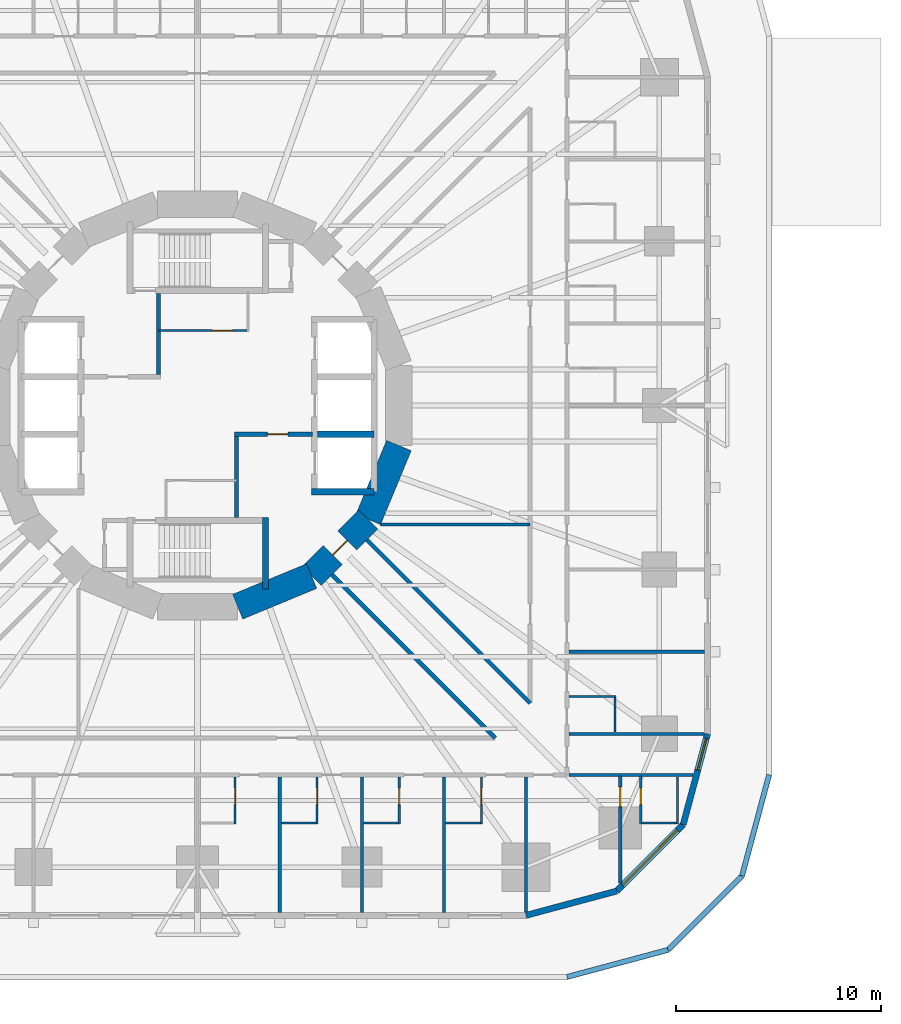
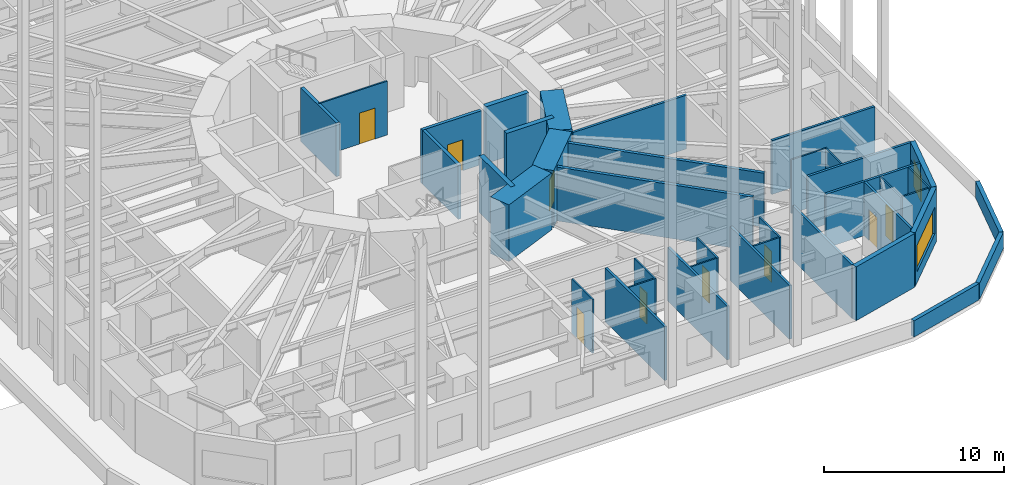
# One storey, part 7 of 13: 39 walls, 9 doors, 2 windows, 11 openings.
"""IFC4 building model written with IfcOpenShell, lengths in metres."""

from ifc_helpers import new_model, si_unit, direction, frame, frame_2d, origin, place, context, subcontext, project, spatial, rectangle, extrude, material, layer, layer_set, type_object, element, fill, save


model = new_model("IFC4")

# Units and contexts
model_context = context("Model", 3, precision=1e-05, world=origin(), true_north=direction((0.0, 1.0)))
body_context = subcontext(model_context, "Body", "Model", "MODEL_VIEW")
ifc_project = project(units=[si_unit("LENGTHUNIT", "METRE"), si_unit("AREAUNIT", "SQUARE_METRE"), si_unit("VOLUMEUNIT", "CUBIC_METRE"), si_unit("PLANEANGLEUNIT", "RADIAN"), si_unit("MASSUNIT", "GRAM", prefix="KILO")], contexts=[model_context])

# Site, building, storey
site_placement = place(None, origin())
site = spatial("IfcSite", under=ifc_project, at=site_placement, CompositionType="ELEMENT")
building_placement = place(site_placement, origin())
building = spatial("IfcBuilding", under=site, at=building_placement, Name="Nakasero Lantern House", CompositionType="ELEMENT")
storey_placement = place(building_placement, frame((0.0, 0.0, 16.0)))
storey = spatial("IfcBuildingStorey", under=building, at=storey_placement, Name="L03", CompositionType="ELEMENT", Elevation=16.0)

# Walls
ifc_material_1 = material(Name="Concrete C50/60", Category="concrete")
ifc_layer_1 = layer(ifc_material_1, 0.300048828125)
ifc_layer_set_1 = layer_set([ifc_layer_1], Name="Core inner wall 300")
wall_type_1 = type_object("IfcWallType", Name="Core inner wall 300", PredefinedType="SHEAR", material=ifc_layer_set_1)
wall_1_placement = place(storey_placement, frame((5.550048828125, -4.199951171875, 0.0), z_axis=(0.0, 0.0, 1.0), x_axis=(1.0, 0.0, 0.0)))
element("IfcWall", 1, at=wall_1_placement, inside=storey, type_object=wall_type_1, Name="Core inner wall L03 LES", PredefinedType="SHEAR", context=body_context, shape_type="SweptSolid", body=[
    extrude(rectangle(XDim=3.050048828125, YDim=0.300048828125, at=frame_2d((1.52490234375, 0.0))), origin(), (0.0, 0.0, 1.0), 3.85009765625),
])
wall_2_placement = place(storey_placement, frame((5.85009765625, -1.39990234375, 0.0), z_axis=(0.0, 0.0, 1.0), x_axis=(1.0, 0.0, 0.0)))
element("IfcWall", 2, at=wall_2_placement, inside=storey, type_object=wall_type_1, Name="Core inner wall L03 LE1", PredefinedType="SHEAR", context=body_context, shape_type="SweptSolid", body=[
    extrude(rectangle(XDim=2.75, YDim=0.300048828125, at=frame_2d((1.375, 0.0))), origin(), (0.0, 0.0, 1.0), 3.85009765625),
])
wall_3_placement = place(storey_placement, frame((3.300048828125, -5.449951171875, 0.0), z_axis=(0.0, 0.0, 1.0), x_axis=(0.0, -1.0, 0.0)))
element("IfcWall", 3, at=wall_3_placement, inside=storey, type_object=wall_type_1, Name="Core inner wall L03 SSE", PredefinedType="SHEAR", context=body_context, shape_type="SweptSolid", body=[
    extrude(rectangle(XDim=3.5, YDim=0.300048828125, at=frame_2d((1.75, 0.0))), origin(), (0.0, 0.0, 1.0), 3.85009765625),
])

# Wall, opening, door
ifc_material_2 = material(Name="Blockwork", Category="masonry")
ifc_layer_2 = layer(ifc_material_2, 0.10009765625)
ifc_layer_set_2 = layer_set([ifc_layer_2], Name="Core room wall 100")
wall_type_2 = type_object("IfcWallType", Name="Core room wall 100", PredefinedType="PARTITIONING", material=ifc_layer_set_2)
wall_4_placement = place(storey_placement, frame((-1.89990234375, 3.64990234375, 0.0), z_axis=(0.0, 0.0, 1.0), x_axis=(1.0, 0.0, 0.0)))
wall_4 = element("IfcWall", 4, at=wall_4_placement, inside=storey, type_object=wall_type_2, Name="Core room wall L03 CR-NES", PredefinedType="PARTITIONING", context=body_context, shape_type="SweptSolid", body=[
    extrude(rectangle(XDim=4.39990234375, YDim=0.10009765625, at=frame_2d((2.199951171875, 0.0))), origin(), (0.0, 0.0, 1.0), 3.64990234375),
])
opening_1_placement = place(wall_4_placement, frame((2.60009765625, 0.0, 0.0)))
opening_1 = element("IfcOpeningElement", 5, at=opening_1_placement, cuts=wall_4, Name="Opening D07", PredefinedType="OPENING", context=body_context, shape_type="SweptSolid", body=[
    extrude(rectangle(XDim=1.0, YDim=2.10009765625, at=frame_2d((0.5, 1.050048828125))), frame((0.0, 0.070068359375, 0.0), z_axis=(0.0, -1.0, 0.0), x_axis=(1.0, 0.0, 0.0)), (0.0, 0.0, 1.0), 0.14013671875),
])
ifc_material_3 = material(Name="Timber C24", Category="wood")
door_type_1 = type_object("IfcDoorType", Name="Room door FD30S 1000", OperationType="SINGLE_SWING_LEFT", PredefinedType="DOOR", material=ifc_material_3)
door_1_placement = place(opening_1_placement, origin())
door_1 = element("IfcDoor", 6, at=door_1_placement, inside=storey, type_object=door_type_1, Name="Door L03 D-CR-NE", OperationType="SINGLE_SWING_RIGHT", OverallHeight=2.10009765625, OverallWidth=1.0, PredefinedType="DOOR", context=body_context, shape_type="SweptSolid", body=[
    extrude(rectangle(XDim=1.0, YDim=2.10009765625, at=frame_2d((0.5, 1.050048828125))), frame((0.0, 0.02490234375, 0.0), z_axis=(0.0, -1.0, 0.0), x_axis=(1.0, 0.0, 0.0)), (0.0, 0.0, 1.0), 0.050048828125),
])
fill(opening_1, door_1)

# Wall
ifc_material_4 = material(Name="Concrete C50/60", Category="concrete")
ifc_layer_3 = layer(ifc_material_4, 1.300048828125)
ifc_layer_set_3 = layer_set([ifc_layer_3], Name="Core wall 1300")
wall_type_3 = type_object("IfcWallType", Name="Core wall 1300", PredefinedType="SHEAR", material=ifc_layer_set_3)
wall_5_placement = place(storey_placement, frame((1.950927734375, -9.807861328125, 0.0), z_axis=(0.0, 0.0, 1.0), x_axis=(0.923876507187, 0.382690736062, 0.0)))
element("IfcWall", 7, at=wall_5_placement, inside=storey, type_object=wall_type_3, Name="Core wall L03 facet 13", PredefinedType="SHEAR", context=body_context, shape_type="SweptSolid", body=[
    extrude(rectangle(XDim=3.90185546875, YDim=1.300048828125, at=frame_2d((1.950927734375, 0.0))), origin(), (0.0, 0.0, 1.0), 3.85009765625),
])

# Wall, opening, door
wall_6_placement = place(storey_placement, frame((5.5556640625, -8.314697265625, 0.0), z_axis=(0.0, 0.0, 1.0), x_axis=(0.707106781187, 0.707106781187, 0.0)))
wall_6 = element("IfcWall", 8, at=wall_6_placement, inside=storey, type_object=wall_type_3, Name="Core wall L03 facet 14", PredefinedType="SHEAR", context=body_context, shape_type="SweptSolid", body=[
    extrude(rectangle(XDim=3.90185546875, YDim=1.300048828125, at=frame_2d((1.950927734375, 0.0))), origin(), (0.0, 0.0, 1.0), 3.85009765625),
])
opening_2_placement = place(wall_6_placement, frame((1.450927734375, 0.0, 0.0)))
opening_2 = element("IfcOpeningElement", 9, at=opening_2_placement, cuts=wall_6, Name="Opening D05", PredefinedType="OPENING", context=body_context, shape_type="SweptSolid", body=[
    extrude(rectangle(XDim=1.0, YDim=2.10009765625, at=frame_2d((0.5, 1.050048828125))), frame((0.0, 0.669921875, 0.0), z_axis=(0.0, -1.0, 0.0), x_axis=(1.0, 0.0, 0.0)), (0.0, 0.0, 1.0), 1.340087890625),
])
ifc_material_5 = material(Name="Timber C24", Category="wood")
door_type_2 = type_object("IfcDoorType", Name="Core door FD60S 1000", OperationType="SINGLE_SWING_LEFT", PredefinedType="DOOR", material=ifc_material_5)
door_2_placement = place(opening_2_placement, origin())
door_2 = element("IfcDoor", 10, at=door_2_placement, inside=storey, type_object=door_type_2, Name="Door L03 D-CORE14", OperationType="SINGLE_SWING_LEFT", OverallHeight=2.10009765625, OverallWidth=1.0, PredefinedType="DOOR", context=body_context, shape_type="SweptSolid", body=[
    extrude(rectangle(XDim=1.0, YDim=2.10009765625, at=frame_2d((0.5, 1.050048828125))), frame((0.0, 0.02490234375, 0.0), z_axis=(0.0, -1.0, 0.0), x_axis=(1.0, 0.0, 0.0)), (0.0, 0.0, 1.0), 0.050048828125),
])
fill(opening_2, door_2)

# Walls
wall_7_placement = place(storey_placement, frame((8.314697265625, -5.5556640625, 0.0), z_axis=(0.0, 0.0, 1.0), x_axis=(0.382690736062, 0.923876507187, 0.0)))
element("IfcWall", 11, at=wall_7_placement, inside=storey, type_object=wall_type_3, Name="Core wall L03 facet 15", PredefinedType="SHEAR", context=body_context, shape_type="SweptSolid", body=[
    extrude(rectangle(XDim=3.90185546875, YDim=1.300048828125, at=frame_2d((1.950927734375, 0.0))), origin(), (0.0, 0.0, 1.0), 3.85009765625),
])
ifc_material_6 = material(Name="Blockwork", Category="masonry")
ifc_layer_4 = layer(ifc_material_6, 0.199951171875)
ifc_layer_set_4 = layer_set([ifc_layer_4], Name="Corridor wall 200")
wall_type_4 = type_object("IfcWallType", Name="Corridor wall 200", PredefinedType="PARTITIONING", material=ifc_layer_set_4)
for number, where, z_axis, x_axis, name in (
    (12, (8.243408203125, -6.54638671875, 0.0), (0.0, 0.0, 1.0), (0.707106781187, -0.707106781187, 0.0), "Corridor wall L03 PS14a"),
    (13, (6.54638671875, -8.243408203125, 0.0), (0.0, 0.0, 1.0), (0.707106781187, -0.707106781187, 0.0), "Corridor wall L03 PS14b"),
):
    element("IfcWall", number, at=place(storey_placement, frame(where, z_axis=z_axis, x_axis=x_axis)), inside=storey, type_object=wall_type_4, Name=name, PredefinedType="PARTITIONING", context=body_context, shape_type="SweptSolid", body=[
        extrude(rectangle(XDim=11.252197265625, YDim=0.199951171875, at=frame_2d((5.6259765625, 0.0))), origin(), (0.0, 0.0, 1.0), 3.64990234375),
    ])
ifc_material_7 = material(Name="Blockwork", Category="masonry")
ifc_layer_5 = layer(ifc_material_7, 0.10009765625)
ifc_layer_set_5 = layer_set([ifc_layer_5], Name="En-suite wall 100")
wall_type_5 = type_object("IfcWallType", Name="En-suite wall 100", PredefinedType="PARTITIONING", material=ifc_layer_set_5)
wall_8_placement = place(storey_placement, frame((18.10009765625, -14.175048828125, 0.0), z_axis=(0.0, 0.0, 1.0), x_axis=(1.0, 0.0, 0.0)))
element("IfcWall", 14, at=wall_8_placement, inside=storey, type_object=wall_type_5, Name="En-suite wall L03 ES0-01", PredefinedType="PARTITIONING", context=body_context, shape_type="SweptSolid", body=[
    extrude(rectangle(XDim=2.2998046875, YDim=0.10009765625, at=frame_2d((1.14990234375, 0.0))), origin(), (0.0, 0.0, 1.0), 3.64990234375),
])
wall_9_placement = place(storey_placement, frame((20.35009765625, -15.925048828125, 0.0), z_axis=(0.0, 0.0, 1.0), x_axis=(0.0, 1.0, 0.0)))
element("IfcWall", 15, at=wall_9_placement, inside=storey, type_object=wall_type_5, Name="En-suite wall L03 EE0-01", PredefinedType="PARTITIONING", context=body_context, shape_type="SweptSolid", body=[
    extrude(rectangle(XDim=1.699951171875, YDim=0.10009765625, at=frame_2d((0.85009765625, 0.0))), origin(), (0.0, 0.0, 1.0), 3.64990234375),
])

# Wall, opening, door
wall_10_placement = place(storey_placement, frame((1.824951171875, -18.10009765625, 0.0), z_axis=(0.0, 0.0, 1.0), x_axis=(0.0, -1.0, 0.0)))
wall_10 = element("IfcWall", 16, at=wall_10_placement, inside=storey, type_object=wall_type_5, Name="En-suite wall L03 ES3-05", PredefinedType="PARTITIONING", context=body_context, shape_type="SweptSolid", body=[
    extrude(rectangle(XDim=2.2998046875, YDim=0.10009765625, at=frame_2d((1.14990234375, 0.0))), origin(), (0.0, 0.0, 1.0), 3.64990234375),
])
opening_3_placement = place(wall_10_placement, frame((0.550048828125, 0.0, 0.0)))
opening_3 = element("IfcOpeningElement", 17, at=opening_3_placement, cuts=wall_10, Name="Opening D02", PredefinedType="OPENING", context=body_context, shape_type="SweptSolid", body=[
    extrude(rectangle(XDim=0.800048828125, YDim=2.10009765625, at=frame_2d((0.39990234375, 1.050048828125))), frame((0.0, 0.070068359375, 0.0), z_axis=(0.0, -1.0, 0.0), x_axis=(1.0, 0.0, 0.0)), (0.0, 0.0, 1.0), 0.14013671875),
])
ifc_material_8 = material(Name="Timber C24", Category="wood")
door_type_3 = type_object("IfcDoorType", Name="En-suite door 800", OperationType="SINGLE_SWING_RIGHT", PredefinedType="DOOR", material=ifc_material_8)
door_3_placement = place(opening_3_placement, origin())
door_3 = element("IfcDoor", 18, at=door_3_placement, inside=storey, type_object=door_type_3, Name="Door L03 DE3-05", OperationType="SINGLE_SWING_LEFT", OverallHeight=2.10009765625, OverallWidth=0.800048828125, PredefinedType="DOOR", context=body_context, shape_type="SweptSolid", body=[
    extrude(rectangle(XDim=0.800048828125, YDim=2.10009765625, at=frame_2d((0.39990234375, 1.050048828125))), frame((0.0, 0.02490234375, 0.0), z_axis=(0.0, -1.0, 0.0), x_axis=(1.0, 0.0, 0.0)), (0.0, 0.0, 1.0), 0.050048828125),
])
fill(opening_3, door_3)

wall_11_placement = place(storey_placement, frame((5.824951171875, -18.10009765625, 0.0), z_axis=(0.0, 0.0, 1.0), x_axis=(0.0, -1.0, 0.0)))
wall_11 = element("IfcWall", 19, at=wall_11_placement, inside=storey, type_object=wall_type_5, Name="En-suite wall L03 ES3-06", PredefinedType="PARTITIONING", context=body_context, shape_type="SweptSolid", body=[
    extrude(rectangle(XDim=2.2998046875, YDim=0.10009765625, at=frame_2d((1.14990234375, 0.0))), origin(), (0.0, 0.0, 1.0), 3.64990234375),
])
opening_4_placement = place(wall_11_placement, frame((0.550048828125, 0.0, 0.0)))
opening_4 = element("IfcOpeningElement", 20, at=opening_4_placement, cuts=wall_11, Name="Opening D02", PredefinedType="OPENING", context=body_context, shape_type="SweptSolid", body=[
    extrude(rectangle(XDim=0.800048828125, YDim=2.10009765625, at=frame_2d((0.39990234375, 1.050048828125))), frame((0.0, 0.070068359375, 0.0), z_axis=(0.0, -1.0, 0.0), x_axis=(1.0, 0.0, 0.0)), (0.0, 0.0, 1.0), 0.14013671875),
])
door_4_placement = place(opening_4_placement, origin())
door_4 = element("IfcDoor", 21, at=door_4_placement, inside=storey, type_object=door_type_3, Name="Door L03 DE3-06", OperationType="SINGLE_SWING_LEFT", OverallHeight=2.10009765625, OverallWidth=0.800048828125, PredefinedType="DOOR", context=body_context, shape_type="SweptSolid", body=[
    extrude(rectangle(XDim=0.800048828125, YDim=2.10009765625, at=frame_2d((0.39990234375, 1.050048828125))), frame((0.0, 0.02490234375, 0.0), z_axis=(0.0, -1.0, 0.0), x_axis=(1.0, 0.0, 0.0)), (0.0, 0.0, 1.0), 0.050048828125),
])
fill(opening_4, door_4)

# Wall
wall_12_placement = place(storey_placement, frame((4.074951171875, -20.35009765625, 0.0), z_axis=(0.0, 0.0, 1.0), x_axis=(1.0, 0.0, 0.0)))
element("IfcWall", 22, at=wall_12_placement, inside=storey, type_object=wall_type_5, Name="En-suite wall L03 EE3-06", PredefinedType="PARTITIONING", context=body_context, shape_type="SweptSolid", body=[
    extrude(rectangle(XDim=1.699951171875, YDim=0.10009765625, at=frame_2d((0.85009765625, 0.0))), origin(), (0.0, 0.0, 1.0), 3.64990234375),
])

# Wall, opening, door
wall_13_placement = place(storey_placement, frame((9.824951171875, -18.10009765625, 0.0), z_axis=(0.0, 0.0, 1.0), x_axis=(0.0, -1.0, 0.0)))
wall_13 = element("IfcWall", 23, at=wall_13_placement, inside=storey, type_object=wall_type_5, Name="En-suite wall L03 ES3-07", PredefinedType="PARTITIONING", context=body_context, shape_type="SweptSolid", body=[
    extrude(rectangle(XDim=2.2998046875, YDim=0.10009765625, at=frame_2d((1.14990234375, 0.0))), origin(), (0.0, 0.0, 1.0), 3.64990234375),
])
opening_5_placement = place(wall_13_placement, frame((0.550048828125, 0.0, 0.0)))
opening_5 = element("IfcOpeningElement", 24, at=opening_5_placement, cuts=wall_13, Name="Opening D02", PredefinedType="OPENING", context=body_context, shape_type="SweptSolid", body=[
    extrude(rectangle(XDim=0.800048828125, YDim=2.10009765625, at=frame_2d((0.39990234375, 1.050048828125))), frame((0.0, 0.070068359375, 0.0), z_axis=(0.0, -1.0, 0.0), x_axis=(1.0, 0.0, 0.0)), (0.0, 0.0, 1.0), 0.14013671875),
])
door_5_placement = place(opening_5_placement, origin())
door_5 = element("IfcDoor", 25, at=door_5_placement, inside=storey, type_object=door_type_3, Name="Door L03 DE3-07", OperationType="SINGLE_SWING_LEFT", OverallHeight=2.10009765625, OverallWidth=0.800048828125, PredefinedType="DOOR", context=body_context, shape_type="SweptSolid", body=[
    extrude(rectangle(XDim=0.800048828125, YDim=2.10009765625, at=frame_2d((0.39990234375, 1.050048828125))), frame((0.0, 0.02490234375, 0.0), z_axis=(0.0, -1.0, 0.0), x_axis=(1.0, 0.0, 0.0)), (0.0, 0.0, 1.0), 0.050048828125),
])
fill(opening_5, door_5)

# Wall
wall_14_placement = place(storey_placement, frame((8.074951171875, -20.35009765625, 0.0), z_axis=(0.0, 0.0, 1.0), x_axis=(1.0, 0.0, 0.0)))
element("IfcWall", 26, at=wall_14_placement, inside=storey, type_object=wall_type_5, Name="En-suite wall L03 EE3-07", PredefinedType="PARTITIONING", context=body_context, shape_type="SweptSolid", body=[
    extrude(rectangle(XDim=1.699951171875, YDim=0.10009765625, at=frame_2d((0.85009765625, 0.0))), origin(), (0.0, 0.0, 1.0), 3.64990234375),
])

# Wall, opening, door
wall_15_placement = place(storey_placement, frame((13.824951171875, -18.10009765625, 0.0), z_axis=(0.0, 0.0, 1.0), x_axis=(0.0, -1.0, 0.0)))
wall_15 = element("IfcWall", 27, at=wall_15_placement, inside=storey, type_object=wall_type_5, Name="En-suite wall L03 ES3-08", PredefinedType="PARTITIONING", context=body_context, shape_type="SweptSolid", body=[
    extrude(rectangle(XDim=2.2998046875, YDim=0.10009765625, at=frame_2d((1.14990234375, 0.0))), origin(), (0.0, 0.0, 1.0), 3.64990234375),
])
opening_6_placement = place(wall_15_placement, frame((0.550048828125, 0.0, 0.0)))
opening_6 = element("IfcOpeningElement", 28, at=opening_6_placement, cuts=wall_15, Name="Opening D02", PredefinedType="OPENING", context=body_context, shape_type="SweptSolid", body=[
    extrude(rectangle(XDim=0.800048828125, YDim=2.10009765625, at=frame_2d((0.39990234375, 1.050048828125))), frame((0.0, 0.070068359375, 0.0), z_axis=(0.0, -1.0, 0.0), x_axis=(1.0, 0.0, 0.0)), (0.0, 0.0, 1.0), 0.14013671875),
])
door_6_placement = place(opening_6_placement, origin())
door_6 = element("IfcDoor", 29, at=door_6_placement, inside=storey, type_object=door_type_3, Name="Door L03 DE3-08", OperationType="SINGLE_SWING_LEFT", OverallHeight=2.10009765625, OverallWidth=0.800048828125, PredefinedType="DOOR", context=body_context, shape_type="SweptSolid", body=[
    extrude(rectangle(XDim=0.800048828125, YDim=2.10009765625, at=frame_2d((0.39990234375, 1.050048828125))), frame((0.0, 0.02490234375, 0.0), z_axis=(0.0, -1.0, 0.0), x_axis=(1.0, 0.0, 0.0)), (0.0, 0.0, 1.0), 0.050048828125),
])
fill(opening_6, door_6)

# Wall
wall_16_placement = place(storey_placement, frame((12.074951171875, -20.35009765625, 0.0), z_axis=(0.0, 0.0, 1.0), x_axis=(1.0, 0.0, 0.0)))
element("IfcWall", 30, at=wall_16_placement, inside=storey, type_object=wall_type_5, Name="En-suite wall L03 EE3-08", PredefinedType="PARTITIONING", context=body_context, shape_type="SweptSolid", body=[
    extrude(rectangle(XDim=1.699951171875, YDim=0.10009765625, at=frame_2d((0.85009765625, 0.0))), origin(), (0.0, 0.0, 1.0), 3.64990234375),
])

# Wall, opening, door
wall_17_placement = place(storey_placement, frame((21.59619140625, -18.06494140625, 0.0), z_axis=(0.0, 0.0, 1.0), x_axis=(0.0, -1.0, 0.0)))
wall_17 = element("IfcWall", 31, at=wall_17_placement, inside=storey, type_object=wall_type_5, Name="En-suite wall L03 ES3-09", PredefinedType="PARTITIONING", context=body_context, shape_type="SweptSolid", body=[
    extrude(rectangle(XDim=2.3349609375, YDim=0.10009765625, at=frame_2d((1.16748046875, 0.0))), origin(), (0.0, 0.0, 1.0), 3.64990234375),
])
opening_7_placement = place(wall_17_placement, frame((0.5849609375, 0.0, 0.0)))
opening_7 = element("IfcOpeningElement", 32, at=opening_7_placement, cuts=wall_17, Name="Opening D02", PredefinedType="OPENING", context=body_context, shape_type="SweptSolid", body=[
    extrude(rectangle(XDim=0.800048828125, YDim=2.10009765625, at=frame_2d((0.39990234375, 1.050048828125))), frame((0.0, 0.070068359375, 0.0), z_axis=(0.0, -1.0, 0.0), x_axis=(1.0, 0.0, 0.0)), (0.0, 0.0, 1.0), 0.14013671875),
])
door_7_placement = place(opening_7_placement, origin())
door_7 = element("IfcDoor", 33, at=door_7_placement, inside=storey, type_object=door_type_3, Name="Door L03 DE3-09", OperationType="SINGLE_SWING_LEFT", OverallHeight=2.10009765625, OverallWidth=0.800048828125, PredefinedType="DOOR", context=body_context, shape_type="SweptSolid", body=[
    extrude(rectangle(XDim=0.800048828125, YDim=2.10009765625, at=frame_2d((0.39990234375, 1.050048828125))), frame((0.0, 0.02490234375, 0.0), z_axis=(0.0, -1.0, 0.0), x_axis=(1.0, 0.0, 0.0)), (0.0, 0.0, 1.0), 0.050048828125),
])
fill(opening_7, door_7)

# Walls
wall_18_placement = place(storey_placement, frame((21.646240234375, -20.35009765625, 0.0), z_axis=(0.0, 0.0, 1.0), x_axis=(1.0, 0.0, 0.0)))
element("IfcWall", 34, at=wall_18_placement, inside=storey, type_object=wall_type_5, Name="En-suite wall L03 EE3-09", PredefinedType="PARTITIONING", context=body_context, shape_type="SweptSolid", body=[
    extrude(rectangle(XDim=1.699951171875, YDim=0.10009765625, at=frame_2d((0.85009765625, 0.0))), origin(), (0.0, 0.0, 1.0), 3.64990234375),
])
wall_19_placement = place(storey_placement, frame((23.396240234375, -18.10009765625, 0.0), z_axis=(0.0, 0.0, 1.0), x_axis=(0.0, -1.0, 0.0)))
element("IfcWall", 35, at=wall_19_placement, inside=storey, type_object=wall_type_5, Name="En-suite wall L03 EV3-09", PredefinedType="PARTITIONING", context=body_context, shape_type="SweptSolid", body=[
    extrude(rectangle(XDim=2.2998046875, YDim=0.10009765625, at=frame_2d((1.14990234375, 0.0))), origin(), (0.0, 0.0, 1.0), 3.64990234375),
])
ifc_material_9 = material(Name="Aluminium rainscreen on blockwork", Category="masonry")
ifc_layer_6 = layer(ifc_material_9, 0.300048828125)
ifc_layer_set_6 = layer_set([ifc_layer_6], Name="Facade wall 300")
wall_type_6 = type_object("IfcWallType", Name="Facade wall 300", PredefinedType="SOLIDWALL", material=ifc_layer_set_6)
wall_20_placement = place(storey_placement, frame((16.0, -24.85009765625, 0.0), z_axis=(0.0, 0.0, 1.0), x_axis=(0.965920218567, 0.258839972501, 0.0)))
element("IfcWall", 36, at=wall_20_placement, inside=storey, type_object=wall_type_6, Name="Facade wall L03 FW3C1", PredefinedType="SOLIDWALL", context=body_context, shape_type="SweptSolid", body=[
    extrude(rectangle(XDim=4.5810546875, YDim=0.300048828125, at=frame_2d((2.29052734375, 0.0))), origin(), (0.0, 0.0, 1.0), 3.64990234375),
])

# Wall, opening, window
wall_21_placement = place(storey_placement, frame((20.425048828125, -23.664306640625, 0.0), z_axis=(0.0, 0.0, 1.0), x_axis=(0.707106781187, 0.707106781187, 0.0)))
wall_21 = element("IfcWall", 37, at=wall_21_placement, inside=storey, type_object=wall_type_6, Name="Facade wall L03 FW3C2", PredefinedType="SOLIDWALL", context=body_context, shape_type="SweptSolid", body=[
    extrude(rectangle(XDim=4.5810546875, YDim=0.300048828125, at=frame_2d((2.29052734375, 0.0))), origin(), (0.0, 0.0, 1.0), 3.64990234375),
])
opening_8_placement = place(wall_21_placement, frame((0.39990234375, 0.0, 0.75)))
opening_8 = element("IfcOpeningElement", 38, at=opening_8_placement, cuts=wall_21, Name="Opening W237", PredefinedType="OPENING", context=body_context, shape_type="SweptSolid", body=[
    extrude(rectangle(XDim=3.781005859375, YDim=1.800048828125, at=frame_2d((1.890625, 0.89990234375))), frame((0.0, 0.169921875, 0.0), z_axis=(0.0, -1.0, 0.0), x_axis=(1.0, 0.0, 0.0)), (0.0, 0.0, 1.0), 0.340087890625),
])
ifc_material_10 = material(Name="Aluminium 6063-T6 and glass", Category="aluminium")
window_type_1 = type_object("IfcWindowType", Name="Corner window 3781x1800", PartitioningType="SINGLE_PANEL", PredefinedType="WINDOW", material=ifc_material_10)
window_1_placement = place(opening_8_placement, origin())
window_1 = element("IfcWindow", 39, at=window_1_placement, inside=storey, type_object=window_type_1, Name="Window L03 WC3", OverallHeight=1.800048828125, OverallWidth=3.781005859375, PartitioningType="SINGLE_PANEL", PredefinedType="WINDOW", context=body_context, shape_type="SweptSolid", body=[
    extrude(rectangle(XDim=3.781005859375, YDim=1.800048828125, at=frame_2d((1.890625, 0.89990234375))), frame((0.0, 0.030029296875, 0.0), z_axis=(0.0, -1.0, 0.0), x_axis=(1.0, 0.0, 0.0)), (0.0, 0.0, 1.0), 0.06005859375),
])
fill(opening_8, window_1)

wall_22_placement = place(storey_placement, frame((23.664306640625, -20.425048828125, 0.0), z_axis=(0.0, 0.0, 1.0), x_axis=(0.258839972501, 0.965920218567, 0.0)))
wall_22 = element("IfcWall", 40, at=wall_22_placement, inside=storey, type_object=wall_type_6, Name="Facade wall L03 FW3C3", PredefinedType="SOLIDWALL", context=body_context, shape_type="SweptSolid", body=[
    extrude(rectangle(XDim=4.5810546875, YDim=0.300048828125, at=frame_2d((2.29052734375, 0.0))), origin(), (0.0, 0.0, 1.0), 3.64990234375),
])
opening_9_placement = place(wall_22_placement, frame((2.74609375, 0.0, 0.75)))
opening_9 = element("IfcOpeningElement", 41, at=opening_9_placement, cuts=wall_22, Name="Opening W01", PredefinedType="OPENING", context=body_context, shape_type="SweptSolid", body=[
    extrude(rectangle(XDim=1.60009765625, YDim=1.800048828125, at=frame_2d((0.800048828125, 0.89990234375))), frame((0.0, 0.169921875, 0.0), z_axis=(0.0, -1.0, 0.0), x_axis=(1.0, 0.0, 0.0)), (0.0, 0.0, 1.0), 0.340087890625),
])
ifc_material_11 = material(Name="Aluminium 6063-T6 and glass", Category="aluminium")
window_type_2 = type_object("IfcWindowType", Name="Bedroom window 1600x1800", PartitioningType="SINGLE_PANEL", PredefinedType="WINDOW", material=ifc_material_11)
window_2_placement = place(opening_9_placement, origin())
window_2 = element("IfcWindow", 42, at=window_2_placement, inside=storey, type_object=window_type_2, Name="Window L03 WN0-00", OverallHeight=1.800048828125, OverallWidth=1.60009765625, PartitioningType="SINGLE_PANEL", PredefinedType="WINDOW", context=body_context, shape_type="SweptSolid", body=[
    extrude(rectangle(XDim=1.60009765625, YDim=1.800048828125, at=frame_2d((0.800048828125, 0.89990234375))), frame((0.0, 0.030029296875, 0.0), z_axis=(0.0, -1.0, 0.0), x_axis=(1.0, 0.0, 0.0)), (0.0, 0.0, 1.0), 0.06005859375),
])
fill(opening_9, window_2)

# Wall
ifc_material_12 = material(Name="Blockwork", Category="masonry")
ifc_layer_7 = layer(ifc_material_12, 0.199951171875)
ifc_layer_set_7 = layer_set([ifc_layer_7], Name="Fire lobby wall 200")
wall_type_7 = type_object("IfcWallType", Name="Fire lobby wall 200", PredefinedType="PARTITIONING", material=ifc_layer_set_7)
wall_23_placement = place(storey_placement, frame((-1.89990234375, 1.5, 0.0), z_axis=(0.0, 0.0, 1.0), x_axis=(0.0, 1.0, 0.0)))
element("IfcWall", 43, at=wall_23_placement, inside=storey, type_object=wall_type_7, Name="Fire lobby wall L03 W-FL1E", PredefinedType="PARTITIONING", context=body_context, shape_type="SweptSolid", body=[
    extrude(rectangle(XDim=3.949951171875, YDim=0.199951171875, at=frame_2d((1.97509765625, 0.0))), origin(), (0.0, 0.0, 1.0), 3.64990234375),
])

# Wall, opening, door
wall_24_placement = place(storey_placement, frame((5.60009765625, -1.39990234375, 0.0), z_axis=(0.0, 0.0, 1.0), x_axis=(-1.0, 0.0, 0.0)))
wall_24 = element("IfcWall", 44, at=wall_24_placement, inside=storey, type_object=wall_type_7, Name="Fire lobby wall L03 W-FL2N", PredefinedType="PARTITIONING", context=body_context, shape_type="SweptSolid", body=[
    extrude(rectangle(XDim=3.800048828125, YDim=0.199951171875, at=frame_2d((1.89990234375, 0.0))), origin(), (0.0, 0.0, 1.0), 3.64990234375),
])
opening_10_placement = place(wall_24_placement, frame((1.199951171875, 0.0, 0.0)))
opening_10 = element("IfcOpeningElement", 45, at=opening_10_placement, cuts=wall_24, Name="Opening D05", PredefinedType="OPENING", context=body_context, shape_type="SweptSolid", body=[
    extrude(rectangle(XDim=1.0, YDim=2.10009765625, at=frame_2d((0.5, 1.050048828125))), frame((0.0, 0.119873046875, 0.0), z_axis=(0.0, -1.0, 0.0), x_axis=(1.0, 0.0, 0.0)), (0.0, 0.0, 1.0), 0.239990234375),
])
door_8_placement = place(opening_10_placement, origin())
door_8 = element("IfcDoor", 46, at=door_8_placement, inside=storey, type_object=door_type_2, Name="Door L03 D-FL2", OperationType="SINGLE_SWING_LEFT", OverallHeight=2.10009765625, OverallWidth=1.0, PredefinedType="DOOR", context=body_context, shape_type="SweptSolid", body=[
    extrude(rectangle(XDim=1.0, YDim=2.10009765625, at=frame_2d((0.5, 1.050048828125))), frame((0.0, 0.02490234375, 0.0), z_axis=(0.0, -1.0, 0.0), x_axis=(1.0, 0.0, 0.0)), (0.0, 0.0, 1.0), 0.050048828125),
])
fill(opening_10, door_8)

# Walls
wall_25_placement = place(storey_placement, frame((1.89990234375, -1.5, 0.0), z_axis=(0.0, 0.0, 1.0), x_axis=(0.0, -1.0, 0.0)))
element("IfcWall", 47, at=wall_25_placement, inside=storey, type_object=wall_type_7, Name="Fire lobby wall L03 W-FL2W", PredefinedType="PARTITIONING", context=body_context, shape_type="SweptSolid", body=[
    extrude(rectangle(XDim=3.949951171875, YDim=0.199951171875, at=frame_2d((1.97509765625, 0.0))), origin(), (0.0, 0.0, 1.0), 3.64990234375),
])
ifc_material_13 = material(Name="Concrete C35/45", Category="concrete")
ifc_layer_8 = layer(ifc_material_13, 0.25)
ifc_layer_set_8 = layer_set([ifc_layer_8], Name="Parapet 250")
wall_type_8 = type_object("IfcWallType", Name="Parapet 250", PredefinedType="SOLIDWALL", material=ifc_layer_set_8)
wall_26_placement = place(storey_placement, frame((18.0, -27.85009765625, 0.0), z_axis=(0.0, 0.0, 1.0), x_axis=(0.965917914089, 0.25884857203, 0.0)))
element("IfcWall", 48, at=wall_26_placement, inside=storey, type_object=wall_type_8, Name="Parapet L03 PP3C1", PredefinedType="SOLIDWALL", context=body_context, shape_type="SweptSolid", body=[
    extrude(rectangle(XDim=5.098876953125, YDim=0.25, at=frame_2d((2.54931640625, 0.0))), origin(), (0.0, 0.0, 1.0), 1.10009765625),
])
wall_27_placement = place(storey_placement, frame((22.925048828125, -26.5302734375, 0.0), z_axis=(0.0, 0.0, 1.0), x_axis=(0.707106781187, 0.707106781187, 0.0)))
element("IfcWall", 49, at=wall_27_placement, inside=storey, type_object=wall_type_8, Name="Parapet L03 PP3C2", PredefinedType="SOLIDWALL", context=body_context, shape_type="SweptSolid", body=[
    extrude(rectangle(XDim=5.0986328125, YDim=0.25, at=frame_2d((2.54931640625, 0.0))), origin(), (0.0, 0.0, 1.0), 1.10009765625),
])
wall_28_placement = place(storey_placement, frame((26.5302734375, -22.925048828125, 0.0), z_axis=(0.0, 0.0, 1.0), x_axis=(0.25884857203, 0.965917914089, 0.0)))
element("IfcWall", 50, at=wall_28_placement, inside=storey, type_object=wall_type_8, Name="Parapet L03 PP3C3", PredefinedType="SOLIDWALL", context=body_context, shape_type="SweptSolid", body=[
    extrude(rectangle(XDim=5.098876953125, YDim=0.25, at=frame_2d((2.54931640625, 0.0))), origin(), (0.0, 0.0, 1.0), 1.10009765625),
])
ifc_material_14 = material(Name="Blockwork", Category="masonry")
ifc_layer_9 = layer(ifc_material_14, 0.14990234375)
ifc_layer_set_9 = layer_set([ifc_layer_9], Name="Party wall 150")
wall_type_9 = type_object("IfcWallType", Name="Party wall 150", PredefinedType="PARTITIONING", material=ifc_layer_set_9)
wall_29_placement = place(storey_placement, frame((18.10009765625, -18.0, 0.0), z_axis=(0.0, 0.0, 1.0), x_axis=(1.0, 0.0, 0.0)))
element("IfcWall", 51, at=wall_29_placement, inside=storey, type_object=wall_type_9, Name="Party wall L03 PW0-00", PredefinedType="PARTITIONING", context=body_context, shape_type="SweptSolid", body=[
    extrude(rectangle(XDim=6.053466796875, YDim=0.14990234375, at=frame_2d((3.02685546875, 0.0))), origin(), (0.0, 0.0, 1.0), 3.64990234375),
])
wall_30_placement = place(storey_placement, frame((18.10009765625, -16.0, 0.0), z_axis=(0.0, 0.0, 1.0), x_axis=(1.0, 0.0, 0.0)))
element("IfcWall", 52, at=wall_30_placement, inside=storey, type_object=wall_type_9, Name="Party wall L03 PW0-01", PredefinedType="PARTITIONING", context=body_context, shape_type="SweptSolid", body=[
    extrude(rectangle(XDim=6.58935546875, YDim=0.14990234375, at=frame_2d((3.294677734375, 0.0))), origin(), (0.0, 0.0, 1.0), 3.64990234375),
])
for number, where, z_axis, x_axis, name in (
    (53, (18.10009765625, -12.0, 0.0), (0.0, 0.0, 1.0), (1.0, 0.0, 0.0), "Party wall L03 PW0-02"),
    (54, (4.0, -18.10009765625, 0.0), (0.0, 0.0, 1.0), (0.0, -1.0, 0.0), "Party wall L03 PW3-06"),
    (55, (8.0, -18.10009765625, 0.0), (0.0, 0.0, 1.0), (0.0, -1.0, 0.0), "Party wall L03 PW3-07"),
    (56, (12.0, -18.10009765625, 0.0), (0.0, 0.0, 1.0), (0.0, -1.0, 0.0), "Party wall L03 PW3-08"),
):
    element("IfcWall", number, at=place(storey_placement, frame(where, z_axis=z_axis, x_axis=x_axis)), inside=storey, type_object=wall_type_9, Name=name, PredefinedType="PARTITIONING", context=body_context, shape_type="SweptSolid", body=[
        extrude(rectangle(XDim=6.599853515625, YDim=0.14990234375, at=frame_2d((3.2998046875, 0.0))), origin(), (0.0, 0.0, 1.0), 3.64990234375),
    ])
wall_31_placement = place(storey_placement, frame((16.0, -18.10009765625, 0.0), z_axis=(0.0, 0.0, 1.0), x_axis=(0.0, -1.0, 0.0)))
element("IfcWall", 57, at=wall_31_placement, inside=storey, type_object=wall_type_9, Name="Party wall L03 PW3-09", PredefinedType="PARTITIONING", context=body_context, shape_type="SweptSolid", body=[
    extrude(rectangle(XDim=6.58935546875, YDim=0.14990234375, at=frame_2d((3.294677734375, 0.0))), origin(), (0.0, 0.0, 1.0), 3.64990234375),
])

# Wall, opening, door
wall_32_placement = place(storey_placement, frame((20.59619140625, -18.06494140625, 0.0), z_axis=(0.0, 0.0, 1.0), x_axis=(0.0, -1.0, 0.0)))
wall_32 = element("IfcWall", 58, at=wall_32_placement, inside=storey, type_object=wall_type_9, Name="Party wall L03 PC3", PredefinedType="PARTITIONING", context=body_context, shape_type="SweptSolid", body=[
    extrude(rectangle(XDim=5.208740234375, YDim=0.14990234375, at=frame_2d((2.6044921875, 0.0))), origin(), (0.0, 0.0, 1.0), 3.64990234375),
])
opening_11_placement = place(wall_32_placement, frame((0.534912109375, 0.0, 0.0)))
opening_11 = element("IfcOpeningElement", 59, at=opening_11_placement, cuts=wall_32, Name="Opening D01", PredefinedType="OPENING", context=body_context, shape_type="SweptSolid", body=[
    extrude(rectangle(XDim=0.949951171875, YDim=2.10009765625, at=frame_2d((0.47509765625, 1.050048828125))), frame((0.0, 0.094970703125, 0.0), z_axis=(0.0, -1.0, 0.0), x_axis=(1.0, 0.0, 0.0)), (0.0, 0.0, 1.0), 0.18994140625),
])
ifc_material_15 = material(Name="Timber C24", Category="wood")
door_type_4 = type_object("IfcDoorType", Name="Bedroom door FD30S 950", OperationType="SINGLE_SWING_LEFT", PredefinedType="DOOR", material=ifc_material_15)
door_9_placement = place(opening_11_placement, origin())
door_9 = element("IfcDoor", 60, at=door_9_placement, inside=storey, type_object=door_type_4, Name="Door L03 DC3", OperationType="SINGLE_SWING_LEFT", OverallHeight=2.10009765625, OverallWidth=0.949951171875, PredefinedType="DOOR", context=body_context, shape_type="SweptSolid", body=[
    extrude(rectangle(XDim=0.949951171875, YDim=2.10009765625, at=frame_2d((0.47509765625, 1.050048828125))), frame((0.0, 0.02490234375, 0.0), z_axis=(0.0, -1.0, 0.0), x_axis=(1.0, 0.0, 0.0)), (0.0, 0.0, 1.0), 0.050048828125),
])
fill(opening_11, door_9)

# Wall
wall_33_placement = place(storey_placement, frame((8.91650390625, -5.80126953125, 0.0), z_axis=(0.0, 0.0, 1.0), x_axis=(1.0, 0.0, 0.0)))
element("IfcWall", 61, at=wall_33_placement, inside=storey, type_object=wall_type_9, Name="Party wall L03 IS1", PredefinedType="PARTITIONING", context=body_context, shape_type="SweptSolid", body=[
    extrude(rectangle(XDim=7.283447265625, YDim=0.14990234375, at=frame_2d((3.6416015625, 0.0))), origin(), (0.0, 0.0, 1.0), 3.64990234375),
])

save(model, "model.ifc")
